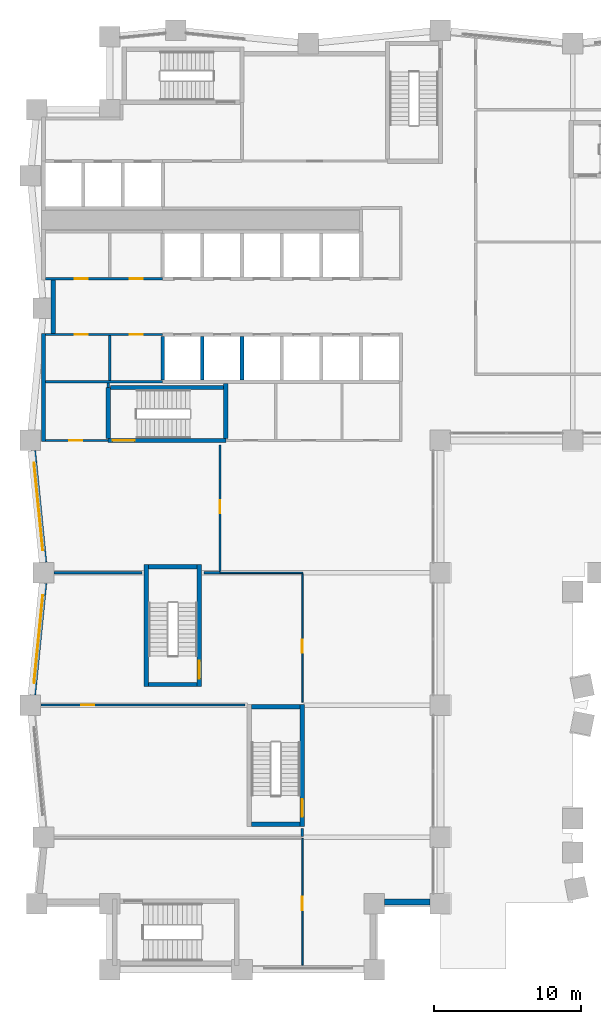
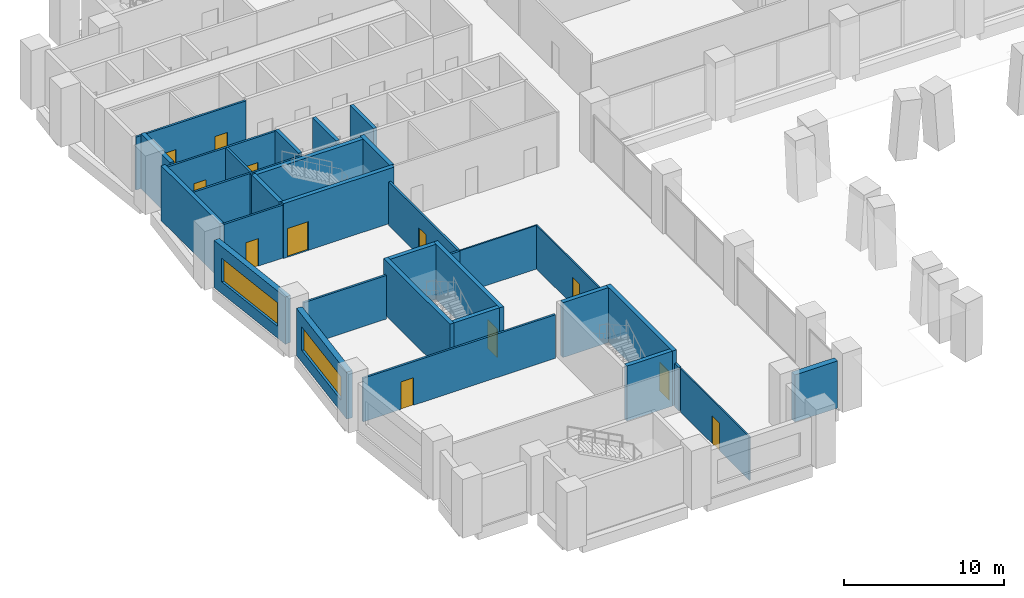
# One storey, part 10 of 18: 33 walls, 12 doors, 2 windows, 14 openings.
"""IFC4 building model written with IfcOpenShell, lengths in metres."""

from ifc_helpers import new_model, si_unit, direction, frame, frame_2d, origin, place, context, subcontext, project, spatial, rectangle, extrude, material, layer, layer_set, type_object, element, fill, save


model = new_model("IFC4")

# Units and contexts
model_context = context("Model", 3, precision=1e-05, world=origin(), true_north=direction((0.0, 1.0)))
body_context = subcontext(model_context, "Body", "Model", "MODEL_VIEW")
ifc_project = project(units=[si_unit("LENGTHUNIT", "METRE"), si_unit("AREAUNIT", "SQUARE_METRE"), si_unit("VOLUMEUNIT", "CUBIC_METRE"), si_unit("PLANEANGLEUNIT", "RADIAN"), si_unit("MASSUNIT", "GRAM", prefix="KILO")], contexts=[model_context])

# Site, building, storey
site_placement = place(None, origin())
site = spatial("IfcSite", under=ifc_project, at=site_placement, CompositionType="ELEMENT")
building_placement = place(site_placement, origin())
building = spatial("IfcBuilding", under=site, at=building_placement, Name="Brondeck Convention Tower", CompositionType="ELEMENT")
storey_placement = place(building_placement, frame((0.0, 0.0, 27.5)))
storey = spatial("IfcBuildingStorey", under=building, at=storey_placement, Name="L04", CompositionType="ELEMENT", Elevation=27.5)

# Walls
ifc_material_1 = material(Name="Concrete C80/95", Category="concrete")
ifc_layer_1 = layer(ifc_material_1, 0.300048828125)
ifc_layer_set_1 = layer_set([ifc_layer_1], Name="Core outer wall 300 Concrete C80/95")
wall_type_1 = type_object("IfcWallType", Name="Core outer wall 300 Concrete C80/95", PredefinedType="SHEAR", material=ifc_layer_set_1)
wall_1_placement = place(storey_placement, frame((0.0, 35.925048828125, 0.0), z_axis=(0.0, 0.0, 1.0), x_axis=(0.0, 1.0, 0.0)))
element("IfcWall", 1, at=wall_1_placement, inside=storey, type_object=wall_type_1, Name="L04 core wall", PredefinedType="SHEAR", context=body_context, shape_type="SweptSolid", body=[
    extrude(rectangle(XDim=7.349853515625, YDim=0.300048828125, at=frame_2d((3.6748046875, 0.0))), origin(), (0.0, 0.0, 1.0), 4.199951171875),
])
wall_2_placement = place(storey_placement, frame((0.64990234375, 43.27490234375, 0.0), z_axis=(0.0, 0.0, 1.0), x_axis=(0.0, 1.0, 0.0)))
element("IfcWall", 2, at=wall_2_placement, inside=storey, type_object=wall_type_1, Name="L04 core wall", PredefinedType="SHEAR", context=body_context, shape_type="SweptSolid", body=[
    extrude(rectangle(XDim=3.650146484375, YDim=0.300048828125, at=frame_2d((1.8251953125, 0.0))), origin(), (0.0, 0.0, 1.0), 4.199951171875),
])

# Wall, opening, door
ifc_material_2 = material(Name="Fire-rated gypsum board partition")
ifc_layer_2 = layer(ifc_material_2, 0.14990234375)
ifc_layer_set_2 = layer_set([ifc_layer_2], Name="Core partition 150 EI 60")
wall_type_2 = type_object("IfcWallType", Name="Core partition 150 EI 60", PredefinedType="PARTITIONING", material=ifc_layer_set_2)
wall_3_placement = place(storey_placement, frame((0.14990234375, 36.0, 0.0), z_axis=(0.0, 0.0, 1.0), x_axis=(1.0, 0.0, 0.0)))
wall_3 = element("IfcWall", 3, at=wall_3_placement, inside=storey, type_object=wall_type_2, Name="L04 core wall", PredefinedType="PARTITIONING", context=body_context, shape_type="SweptSolid", body=[
    extrude(rectangle(XDim=4.25, YDim=0.14990234375, at=frame_2d((2.125, 0.0))), origin(), (0.0, 0.0, 1.0), 4.050048828125),
])
opening_1_placement = place(wall_3_placement, frame((1.60009765625, 0.0, 0.0)))
opening_1 = element("IfcOpeningElement", 4, at=opening_1_placement, cuts=wall_3, Name="Opening C06-06", PredefinedType="OPENING", context=body_context, shape_type="SweptSolid", body=[
    extrude(rectangle(XDim=0.89990234375, YDim=2.10009765625, at=frame_2d((0.449951171875, 1.050048828125))), frame((0.0, 0.0849609375, 0.0), z_axis=(0.0, -1.0, 0.0), x_axis=(1.0, 0.0, 0.0)), (0.0, 0.0, 1.0), 0.169921875),
])
ifc_material_3 = material(Name="Steel fire door", Category="steel")
door_type_1 = type_object("IfcDoorType", Name="Room door 900x2100 EI 60", OperationType="NOTDEFINED", PredefinedType="DOOR", material=ifc_material_3)
door_1_placement = place(opening_1_placement, origin())
door_1 = element("IfcDoor", 5, at=door_1_placement, inside=storey, type_object=door_type_1, Name="L04 Room door FRW-1", OperationType="SINGLE_SWING_LEFT", OverallHeight=2.10009765625, OverallWidth=0.89990234375, PredefinedType="DOOR", context=body_context, shape_type="SweptSolid", body=[
    extrude(rectangle(XDim=0.89990234375, YDim=2.10009765625, at=frame_2d((0.449951171875, 1.050048828125))), frame((0.0, 0.02490234375, 0.0), z_axis=(0.0, -1.0, 0.0), x_axis=(1.0, 0.0, 0.0)), (0.0, 0.0, 1.0), 0.050048828125),
])
fill(opening_1, door_1)

# Wall
wall_4_placement = place(storey_placement, frame((0.14990234375, 40.0, 0.0), z_axis=(0.0, 0.0, 1.0), x_axis=(1.0, 0.0, 0.0)))
element("IfcWall", 6, at=wall_4_placement, inside=storey, type_object=wall_type_2, Name="L04 core wall", PredefinedType="PARTITIONING", context=body_context, shape_type="SweptSolid", body=[
    extrude(rectangle(XDim=7.9501953125, YDim=0.14990234375, at=frame_2d((3.97509765625, 0.0))), origin(), (0.0, 0.0, 1.0), 4.050048828125),
])

# Wall, openings, doors
wall_5_placement = place(storey_placement, frame((0.14990234375, 43.199951171875, 0.0), z_axis=(0.0, 0.0, 1.0), x_axis=(1.0, 0.0, 0.0)))
wall_5 = element("IfcWall", 7, at=wall_5_placement, inside=storey, type_object=wall_type_2, Name="L04 core wall", PredefinedType="PARTITIONING", context=body_context, shape_type="SweptSolid", body=[
    extrude(rectangle(XDim=7.9501953125, YDim=0.14990234375, at=frame_2d((3.97509765625, 0.0))), origin(), (0.0, 0.0, 1.0), 4.050048828125),
])
opening_2_placement = place(wall_5_placement, frame((1.97509765625, 0.0, 0.0)))
opening_2 = element("IfcOpeningElement", 8, at=opening_2_placement, cuts=wall_5, Name="Opening C06-09", PredefinedType="OPENING", context=body_context, shape_type="SweptSolid", body=[
    extrude(rectangle(XDim=0.89990234375, YDim=2.10009765625, at=frame_2d((0.449951171875, 1.050048828125))), frame((0.0, 0.0849609375, 0.0), z_axis=(0.0, -1.0, 0.0), x_axis=(1.0, 0.0, 0.0)), (0.0, 0.0, 1.0), 0.169921875),
])
opening_3_placement = place(wall_5_placement, frame((5.699951171875, 0.0, 0.0)))
opening_3 = element("IfcOpeningElement", 9, at=opening_3_placement, cuts=wall_5, Name="Opening C06-10", PredefinedType="OPENING", context=body_context, shape_type="SweptSolid", body=[
    extrude(rectangle(XDim=0.89990234375, YDim=2.10009765625, at=frame_2d((0.449951171875, 1.050048828125))), frame((0.0, 0.0849609375, 0.0), z_axis=(0.0, -1.0, 0.0), x_axis=(1.0, 0.0, 0.0)), (0.0, 0.0, 1.0), 0.169921875),
])
door_2_placement = place(opening_2_placement, origin())
door_2 = element("IfcDoor", 10, at=door_2_placement, inside=storey, type_object=door_type_1, Name="L04 Room door FZ-S-0-1", OperationType="SINGLE_SWING_LEFT", OverallHeight=2.10009765625, OverallWidth=0.89990234375, PredefinedType="DOOR", context=body_context, shape_type="SweptSolid", body=[
    extrude(rectangle(XDim=0.89990234375, YDim=2.10009765625, at=frame_2d((0.449951171875, 1.050048828125))), frame((0.0, 0.02490234375, 0.0), z_axis=(0.0, -1.0, 0.0), x_axis=(1.0, 0.0, 0.0)), (0.0, 0.0, 1.0), 0.050048828125),
])
fill(opening_2, door_2)
door_3_placement = place(opening_3_placement, origin())
door_3 = element("IfcDoor", 11, at=door_3_placement, inside=storey, type_object=door_type_1, Name="L04 Room door FZ-S-0-2", OperationType="SINGLE_SWING_RIGHT", OverallHeight=2.10009765625, OverallWidth=0.89990234375, PredefinedType="DOOR", context=body_context, shape_type="SweptSolid", body=[
    extrude(rectangle(XDim=0.89990234375, YDim=2.10009765625, at=frame_2d((0.449951171875, 1.050048828125))), frame((0.0, 0.02490234375, 0.0), z_axis=(0.0, -1.0, 0.0), x_axis=(1.0, 0.0, 0.0)), (0.0, 0.0, 1.0), 0.050048828125),
])
fill(opening_3, door_3)

wall_6_placement = place(storey_placement, frame((0.14990234375, 47.0, 0.0), z_axis=(0.0, 0.0, 1.0), x_axis=(1.0, 0.0, 0.0)))
wall_6 = element("IfcWall", 12, at=wall_6_placement, inside=storey, type_object=wall_type_2, Name="L04 core wall", PredefinedType="PARTITIONING", context=body_context, shape_type="SweptSolid", body=[
    extrude(rectangle(XDim=7.9501953125, YDim=0.14990234375, at=frame_2d((3.97509765625, 0.0))), origin(), (0.0, 0.0, 1.0), 4.050048828125),
])
opening_4_placement = place(wall_6_placement, frame((1.97509765625, 0.0, 0.0)))
opening_4 = element("IfcOpeningElement", 13, at=opening_4_placement, cuts=wall_6, Name="Opening C06-07", PredefinedType="OPENING", context=body_context, shape_type="SweptSolid", body=[
    extrude(rectangle(XDim=0.89990234375, YDim=2.10009765625, at=frame_2d((0.449951171875, 1.050048828125))), frame((0.0, 0.0849609375, 0.0), z_axis=(0.0, -1.0, 0.0), x_axis=(1.0, 0.0, 0.0)), (0.0, 0.0, 1.0), 0.169921875),
])
opening_5_placement = place(wall_6_placement, frame((5.699951171875, 0.0, 0.0)))
opening_5 = element("IfcOpeningElement", 14, at=opening_5_placement, cuts=wall_6, Name="Opening C06-08", PredefinedType="OPENING", context=body_context, shape_type="SweptSolid", body=[
    extrude(rectangle(XDim=0.89990234375, YDim=2.10009765625, at=frame_2d((0.449951171875, 1.050048828125))), frame((0.0, 0.0849609375, 0.0), z_axis=(0.0, -1.0, 0.0), x_axis=(1.0, 0.0, 0.0)), (0.0, 0.0, 1.0), 0.169921875),
])
door_4_placement = place(opening_4_placement, origin())
door_4 = element("IfcDoor", 15, at=door_4_placement, inside=storey, type_object=door_type_1, Name="L04 Room door FZ-N-0-1", OperationType="SINGLE_SWING_RIGHT", OverallHeight=2.10009765625, OverallWidth=0.89990234375, PredefinedType="DOOR", context=body_context, shape_type="SweptSolid", body=[
    extrude(rectangle(XDim=0.89990234375, YDim=2.10009765625, at=frame_2d((0.449951171875, 1.050048828125))), frame((0.0, 0.02490234375, 0.0), z_axis=(0.0, -1.0, 0.0), x_axis=(1.0, 0.0, 0.0)), (0.0, 0.0, 1.0), 0.050048828125),
])
fill(opening_4, door_4)
door_5_placement = place(opening_5_placement, origin())
door_5 = element("IfcDoor", 16, at=door_5_placement, inside=storey, type_object=door_type_1, Name="L04 Room door FZ-N-0-2", OperationType="SINGLE_SWING_LEFT", OverallHeight=2.10009765625, OverallWidth=0.89990234375, PredefinedType="DOOR", context=body_context, shape_type="SweptSolid", body=[
    extrude(rectangle(XDim=0.89990234375, YDim=2.10009765625, at=frame_2d((0.449951171875, 1.050048828125))), frame((0.0, 0.02490234375, 0.0), z_axis=(0.0, -1.0, 0.0), x_axis=(1.0, 0.0, 0.0)), (0.0, 0.0, 1.0), 0.050048828125),
])
fill(opening_5, door_5)

# Walls
wall_7_placement = place(storey_placement, frame((4.39990234375, 39.60009765625, 0.0), z_axis=(0.0, 0.0, 1.0), x_axis=(0.0, 1.0, 0.0)))
element("IfcWall", 17, at=wall_7_placement, inside=storey, type_object=wall_type_2, Name="L04 core wall", PredefinedType="PARTITIONING", context=body_context, shape_type="SweptSolid", body=[
    extrude(rectangle(XDim=0.324951171875, YDim=0.14990234375, at=frame_2d((0.16259765625, 0.0))), origin(), (0.0, 0.0, 1.0), 4.050048828125),
])
wall_8_placement = place(storey_placement, frame((4.5, 40.074951171875, 0.0), z_axis=(0.0, 0.0, 1.0), x_axis=(0.0, 1.0, 0.0)))
element("IfcWall", 18, at=wall_8_placement, inside=storey, type_object=wall_type_2, Name="L04 core wall", PredefinedType="PARTITIONING", context=body_context, shape_type="SweptSolid", body=[
    extrude(rectangle(XDim=3.050048828125, YDim=0.14990234375, at=frame_2d((1.52490234375, 0.0))), origin(), (0.0, 0.0, 1.0), 4.050048828125),
])
ifc_material_4 = material(Name="Limestone", Category="masonry")
ifc_layer_3 = layer(ifc_material_4, 0.10009765625, Name="Limestone facing")
ifc_material_5 = material(Name="Mineral wool")
ifc_layer_4 = layer(ifc_material_5, 0.159912109375, Name="Insulation")
ifc_material_6 = material(Name="Concrete C35/45", Category="concrete")
ifc_layer_5 = layer(ifc_material_6, 0.139892578125, Name="Backing")
ifc_layer_set_3 = layer_set([ifc_layer_3, ifc_layer_4, ifc_layer_5], Name="External wall, limestone cladding")
wall_type_3 = type_object("IfcWallType", Name="External wall, limestone cladding", PredefinedType="SOLIDWALL", material=ifc_layer_set_3)
wall_9_placement = place(storey_placement, frame((26.300048828125, 4.60009765625, 0.0), z_axis=(0.0, 0.0, 1.0), x_axis=(-1.0, 0.0, 0.0)))
element("IfcWall", 19, at=wall_9_placement, inside=storey, type_object=wall_type_3, Name="ENV-EW-L04-BASE-NC-SEB-02", PredefinedType="SOLIDWALL", context=body_context, shape_type="SweptSolid", body=[
    extrude(rectangle(XDim=3.10009765625, YDim=0.39990234375, at=frame_2d((1.550048828125, 0.0))), origin(), (0.0, 0.0, 1.0), 3.60009765625),
])

# Wall, opening, window
wall_10_placement = place(storey_placement, frame((0.02978515625, 27.70654296875, 0.0), z_axis=(0.0, 0.0, 1.0), x_axis=(-0.099478423711, 0.995039719416, 0.0)))
wall_10 = element("IfcWall", 20, at=wall_10_placement, inside=storey, type_object=wall_type_3, Name="ENV-EW-L04-BASE-B-W-07", PredefinedType="SOLIDWALL", context=body_context, shape_type="SweptSolid", body=[
    extrude(rectangle(XDim=7.644775390625, YDim=0.39990234375, at=frame_2d((3.822265625, 0.0))), origin(), (0.0, 0.0, 1.0), 3.60009765625),
])
opening_6_placement = place(wall_10_placement, frame((0.822509765625, 0.0, 0.89990234375)))
opening_6 = element("IfcOpeningElement", 21, at=opening_6_placement, cuts=wall_10, Name="Opening W4", PredefinedType="OPENING", context=body_context, shape_type="SweptSolid", body=[
    extrude(rectangle(XDim=6.0, YDim=1.800048828125, at=frame_2d((3.0, 0.89990234375))), frame((0.0, 0.2099609375, 0.0), z_axis=(0.0, -1.0, 0.0), x_axis=(1.0, 0.0, 0.0)), (0.0, 0.0, 1.0), 0.419921875),
])
ifc_material_7 = material(Name="Bronze tinted double glazing", Category="glass")
window_type = type_object("IfcWindowType", Name="Podium ribbon window, bronze tinted", PartitioningType="SINGLE_PANEL", PredefinedType="WINDOW", material=ifc_material_7)
window_1_placement = place(opening_6_placement, origin())
window_1 = element("IfcWindow", 22, at=window_1_placement, inside=storey, type_object=window_type, Name="ENV-WN-L04-BASE-B-W-07", OverallHeight=1.800048828125, OverallWidth=6.0, PartitioningType="SINGLE_PANEL", PredefinedType="WINDOW", context=body_context, shape_type="SweptSolid", body=[
    extrude(rectangle(XDim=6.0, YDim=1.800048828125, at=frame_2d((3.0, 0.89990234375))), frame((0.0, 0.030029296875, 0.0), z_axis=(0.0, -1.0, 0.0), x_axis=(1.0, 0.0, 0.0)), (0.0, 0.0, 1.0), 0.06005859375),
])
fill(opening_6, window_1)

wall_11_placement = place(storey_placement, frame((-0.730712890625, 18.6865234375, 0.0), z_axis=(0.0, 0.0, 1.0), x_axis=(0.099478423711, 0.995039719416, 0.0)))
wall_11 = element("IfcWall", 23, at=wall_11_placement, inside=storey, type_object=wall_type_3, Name="ENV-EW-L04-BASE-B-W-09", PredefinedType="SOLIDWALL", context=body_context, shape_type="SweptSolid", body=[
    extrude(rectangle(XDim=7.644775390625, YDim=0.39990234375, at=frame_2d((3.822265625, 0.0))), origin(), (0.0, 0.0, 1.0), 3.60009765625),
])
opening_7_placement = place(wall_11_placement, frame((0.822509765625, 0.0, 0.89990234375)))
opening_7 = element("IfcOpeningElement", 24, at=opening_7_placement, cuts=wall_11, Name="Opening W4", PredefinedType="OPENING", context=body_context, shape_type="SweptSolid", body=[
    extrude(rectangle(XDim=6.0, YDim=1.800048828125, at=frame_2d((3.0, 0.89990234375))), frame((0.0, 0.2099609375, 0.0), z_axis=(0.0, -1.0, 0.0), x_axis=(1.0, 0.0, 0.0)), (0.0, 0.0, 1.0), 0.419921875),
])
window_2_placement = place(opening_7_placement, origin())
window_2 = element("IfcWindow", 25, at=window_2_placement, inside=storey, type_object=window_type, Name="ENV-WN-L04-BASE-B-W-09", OverallHeight=1.800048828125, OverallWidth=6.0, PartitioningType="SINGLE_PANEL", PredefinedType="WINDOW", context=body_context, shape_type="SweptSolid", body=[
    extrude(rectangle(XDim=6.0, YDim=1.800048828125, at=frame_2d((3.0, 0.89990234375))), frame((0.0, 0.030029296875, 0.0), z_axis=(0.0, -1.0, 0.0), x_axis=(1.0, 0.0, 0.0)), (0.0, 0.0, 1.0), 0.06005859375),
])
fill(opening_7, window_2)

# Wall
ifc_material_8 = material(Name="Double gypsum board acoustic wall")
ifc_layer_6 = layer(ifc_material_8, 0.14990234375)
ifc_layer_set_4 = layer_set([ifc_layer_6], Name="Guest room party wall 150")
wall_type_4 = type_object("IfcWallType", Name="Guest room party wall 150", PredefinedType="PARTITIONING", material=ifc_layer_set_4)
wall_12_placement = place(storey_placement, frame((17.60009765625, 9.074951171875, 0.0), z_axis=(0.0, 0.0, 1.0), x_axis=(0.0, 1.0, 0.0)))
element("IfcWall", 26, at=wall_12_placement, inside=storey, type_object=wall_type_4, Name="FLR-L04-W003", PredefinedType="PARTITIONING", context=body_context, shape_type="SweptSolid", body=[
    extrude(rectangle(XDim=0.525146484375, YDim=0.14990234375, at=frame_2d((0.2626953125, 0.0))), origin(), (0.0, 0.0, 1.0), 3.330078125),
])

# Wall, opening, door
wall_13_placement = place(storey_placement, frame((13.699951171875, 18.0, 0.0), z_axis=(0.0, 0.0, 1.0), x_axis=(-1.0, 0.0, 0.0)))
wall_13 = element("IfcWall", 27, at=wall_13_placement, inside=storey, type_object=wall_type_4, Name="FLR-L04-W004", PredefinedType="PARTITIONING", context=body_context, shape_type="SweptSolid", body=[
    extrude(rectangle(XDim=13.8798828125, YDim=0.14990234375, at=frame_2d((6.93994140625, 0.0))), origin(), (0.0, 0.0, 1.0), 3.330078125),
])
opening_8_placement = place(wall_13_placement, frame((10.25, 0.0, 0.0)))
opening_8 = element("IfcOpeningElement", 28, at=opening_8_placement, cuts=wall_13, Name="Opening P-L04-015", PredefinedType="OPENING", context=body_context, shape_type="SweptSolid", body=[
    extrude(rectangle(XDim=0.89990234375, YDim=2.10009765625, at=frame_2d((0.449951171875, 1.050048828125))), frame((0.0, 0.0849609375, 0.0), z_axis=(0.0, -1.0, 0.0), x_axis=(1.0, 0.0, 0.0)), (0.0, 0.0, 1.0), 0.169921875),
])
ifc_material_9 = material(Name="Solid timber door leaf", Category="wood")
door_type_2 = type_object("IfcDoorType", Name="Single door 900", OperationType="NOTDEFINED", PredefinedType="DOOR", material=ifc_material_9)
door_6_placement = place(opening_8_placement, origin())
door_6 = element("IfcDoor", 29, at=door_6_placement, inside=storey, type_object=door_type_2, Name="Door P-L04-015", OperationType="SINGLE_SWING_RIGHT", OverallHeight=2.10009765625, OverallWidth=0.89990234375, PredefinedType="DOOR", context=body_context, shape_type="SweptSolid", body=[
    extrude(rectangle(XDim=0.89990234375, YDim=2.10009765625, at=frame_2d((0.449951171875, 1.050048828125))), frame((0.0, 0.02490234375, 0.0), z_axis=(0.0, -1.0, 0.0), x_axis=(1.0, 0.0, 0.0)), (0.0, 0.0, 1.0), 0.050048828125),
])
fill(opening_8, door_6)

# Walls
wall_14_placement = place(storey_placement, frame((0.719970703125, 27.0, 0.0), z_axis=(0.0, 0.0, 1.0), x_axis=(1.0, 0.0, 0.0)))
element("IfcWall", 30, at=wall_14_placement, inside=storey, type_object=wall_type_4, Name="FLR-L04-W006", PredefinedType="PARTITIONING", context=body_context, shape_type="SweptSolid", body=[
    extrude(rectangle(XDim=5.97998046875, YDim=0.14990234375, at=frame_2d((2.989990234375, 0.0))), origin(), (0.0, 0.0, 1.0), 3.330078125),
])
wall_15_placement = place(storey_placement, frame((10.89990234375, 27.0, 0.0), z_axis=(0.0, 0.0, 1.0), x_axis=(1.0, 0.0, 0.0)))
element("IfcWall", 31, at=wall_15_placement, inside=storey, type_object=wall_type_4, Name="FLR-L04-W007", PredefinedType="PARTITIONING", context=body_context, shape_type="SweptSolid", body=[
    extrude(rectangle(XDim=1.10009765625, YDim=0.14990234375, at=frame_2d((0.550048828125, 0.0))), origin(), (0.0, 0.0, 1.0), 3.330078125),
])

# Wall, opening, door
wall_16_placement = place(storey_placement, frame((12.0, 27.074951171875, 0.0), z_axis=(0.0, 0.0, 1.0), x_axis=(0.0, 1.0, 0.0)))
wall_16 = element("IfcWall", 32, at=wall_16_placement, inside=storey, type_object=wall_type_4, Name="FLR-L04-W009", PredefinedType="PARTITIONING", context=body_context, shape_type="SweptSolid", body=[
    extrude(rectangle(XDim=8.625, YDim=0.14990234375, at=frame_2d((4.3125, 0.0))), origin(), (0.0, 0.0, 1.0), 3.330078125),
])
opening_9_placement = place(wall_16_placement, frame((3.97509765625, 0.0, 0.0)))
opening_9 = element("IfcOpeningElement", 33, at=opening_9_placement, cuts=wall_16, Name="Opening P-L04-012", PredefinedType="OPENING", context=body_context, shape_type="SweptSolid", body=[
    extrude(rectangle(XDim=0.89990234375, YDim=2.10009765625, at=frame_2d((0.449951171875, 1.050048828125))), frame((0.0, 0.0849609375, 0.0), z_axis=(0.0, -1.0, 0.0), x_axis=(1.0, 0.0, 0.0)), (0.0, 0.0, 1.0), 0.169921875),
])
door_7_placement = place(opening_9_placement, origin())
door_7 = element("IfcDoor", 34, at=door_7_placement, inside=storey, type_object=door_type_2, Name="Door P-L04-012", OperationType="SINGLE_SWING_RIGHT", OverallHeight=2.10009765625, OverallWidth=0.89990234375, PredefinedType="DOOR", context=body_context, shape_type="SweptSolid", body=[
    extrude(rectangle(XDim=0.89990234375, YDim=2.10009765625, at=frame_2d((0.449951171875, 1.050048828125))), frame((0.0, 0.02490234375, 0.0), z_axis=(0.0, -1.0, 0.0), x_axis=(1.0, 0.0, 0.0)), (0.0, 0.0, 1.0), 0.050048828125),
])
fill(opening_9, door_7)

# Walls
ifc_layer_7 = layer(ifc_material_1, 0.25)
ifc_layer_set_5 = layer_set([ifc_layer_7], Name="Lift shaft wall 250 Concrete C80/95")
wall_type_5 = type_object("IfcWallType", Name="Lift shaft wall 250 Concrete C80/95", PredefinedType="SHEAR", material=ifc_layer_set_5)
for number, where, z_axis, x_axis, name in (
    (35, (8.10009765625, 40.125, 0.0), (0.0, 0.0, 1.0), (0.0, 1.0, 0.0), "L04 core wall"),
    (36, (10.800048828125, 40.125, 0.0), (0.0, 0.0, 1.0), (0.0, 1.0, 0.0), "L04 core wall"),
    (37, (13.5, 40.125, 0.0), (0.0, 0.0, 1.0), (0.0, 1.0, 0.0), "L04 core wall"),
):
    element("IfcWall", number, at=place(storey_placement, frame(where, z_axis=z_axis, x_axis=x_axis)), inside=storey, type_object=wall_type_5, Name=name, PredefinedType="SHEAR", context=body_context, shape_type="SweptSolid", body=[
        extrude(rectangle(XDim=2.949951171875, YDim=0.25, at=frame_2d((1.47509765625, 0.0))), origin(), (0.0, 0.0, 1.0), 4.199951171875),
    ])

# Wall, opening, door
ifc_material_10 = material(Name="Gypsum board partition on steel studs", Category="steel")
ifc_layer_8 = layer(ifc_material_10, 0.10009765625)
ifc_layer_set_6 = layer_set([ifc_layer_8], Name="Room partition 100")
wall_type_6 = type_object("IfcWallType", Name="Room partition 100", PredefinedType="PARTITIONING", material=ifc_layer_set_6)
wall_17_placement = place(storey_placement, frame((17.60009765625, 0.320068359375, 0.0), z_axis=(0.0, 0.0, 1.0), x_axis=(0.0, 1.0, 0.0)))
wall_17 = element("IfcWall", 38, at=wall_17_placement, inside=storey, type_object=wall_type_6, Name="FLR-L04-W001", PredefinedType="PARTITIONING", context=body_context, shape_type="SweptSolid", body=[
    extrude(rectangle(XDim=8.60498046875, YDim=0.10009765625, at=frame_2d((4.302490234375, 0.0))), origin(), (0.0, 0.0, 1.0), 3.330078125),
])
opening_10_placement = place(wall_17_placement, frame((3.72998046875, 0.0, 0.0)))
opening_10 = element("IfcOpeningElement", 39, at=opening_10_placement, cuts=wall_17, Name="Opening P-L04-013", PredefinedType="OPENING", context=body_context, shape_type="SweptSolid", body=[
    extrude(rectangle(XDim=0.89990234375, YDim=2.10009765625, at=frame_2d((0.449951171875, 1.050048828125))), frame((0.0, 0.06005859375, 0.0), z_axis=(0.0, -1.0, 0.0), x_axis=(1.0, 0.0, 0.0)), (0.0, 0.0, 1.0), 0.1201171875),
])
door_8_placement = place(opening_10_placement, origin())
door_8 = element("IfcDoor", 40, at=door_8_placement, inside=storey, type_object=door_type_2, Name="Door P-L04-013", OperationType="SINGLE_SWING_LEFT", OverallHeight=2.10009765625, OverallWidth=0.89990234375, PredefinedType="DOOR", context=body_context, shape_type="SweptSolid", body=[
    extrude(rectangle(XDim=0.89990234375, YDim=2.10009765625, at=frame_2d((0.449951171875, 1.050048828125))), frame((0.0, 0.02490234375, 0.0), z_axis=(0.0, -1.0, 0.0), x_axis=(1.0, 0.0, 0.0)), (0.0, 0.0, 1.0), 0.050048828125),
])
fill(opening_10, door_8)

wall_18_placement = place(storey_placement, frame((17.60009765625, 18.199951171875, 0.0), z_axis=(0.0, 0.0, 1.0), x_axis=(0.0, 1.0, 0.0)))
wall_18 = element("IfcWall", 41, at=wall_18_placement, inside=storey, type_object=wall_type_6, Name="FLR-L04-W005", PredefinedType="PARTITIONING", context=body_context, shape_type="SweptSolid", body=[
    extrude(rectangle(XDim=8.75, YDim=0.10009765625, at=frame_2d((4.375, 0.0))), origin(), (0.0, 0.0, 1.0), 3.330078125),
])
opening_11_placement = place(wall_18_placement, frame((3.35009765625, 0.0, 0.0)))
opening_11 = element("IfcOpeningElement", 42, at=opening_11_placement, cuts=wall_18, Name="Opening P-L04-014", PredefinedType="OPENING", context=body_context, shape_type="SweptSolid", body=[
    extrude(rectangle(XDim=0.89990234375, YDim=2.10009765625, at=frame_2d((0.449951171875, 1.050048828125))), frame((0.0, 0.06005859375, 0.0), z_axis=(0.0, -1.0, 0.0), x_axis=(1.0, 0.0, 0.0)), (0.0, 0.0, 1.0), 0.1201171875),
])
door_9_placement = place(opening_11_placement, origin())
door_9 = element("IfcDoor", 43, at=door_9_placement, inside=storey, type_object=door_type_2, Name="Door P-L04-014", OperationType="SINGLE_SWING_LEFT", OverallHeight=2.10009765625, OverallWidth=0.89990234375, PredefinedType="DOOR", context=body_context, shape_type="SweptSolid", body=[
    extrude(rectangle(XDim=0.89990234375, YDim=2.10009765625, at=frame_2d((0.449951171875, 1.050048828125))), frame((0.0, 0.02490234375, 0.0), z_axis=(0.0, -1.0, 0.0), x_axis=(1.0, 0.0, 0.0)), (0.0, 0.0, 1.0), 0.050048828125),
])
fill(opening_11, door_9)

# Walls
wall_19_placement = place(storey_placement, frame((17.64990234375, 27.0, 0.0), z_axis=(0.0, 0.0, 1.0), x_axis=(-1.0, 0.0, 0.0)))
element("IfcWall", 44, at=wall_19_placement, inside=storey, type_object=wall_type_6, Name="FLR-L04-W008", PredefinedType="PARTITIONING", context=body_context, shape_type="SweptSolid", body=[
    extrude(rectangle(XDim=5.64990234375, YDim=0.10009765625, at=frame_2d((2.824951171875, 0.0))), origin(), (0.0, 0.0, 1.0), 3.330078125),
])
ifc_layer_9 = layer(ifc_material_1, 0.300048828125)
ifc_layer_set_7 = layer_set([ifc_layer_9], Name="Stair enclosure wall 300 Concrete C80/95")
wall_type_7 = type_object("IfcWallType", Name="Stair enclosure wall 300 Concrete C80/95", PredefinedType="SHEAR", material=ifc_layer_set_7)
for number, where, z_axis, x_axis, name in (
    (45, (14.14990234375, 9.89990234375, 0.0), (0.0, 0.0, 1.0), (1.0, 0.0, 0.0), "L04 core wall"),
    (46, (14.14990234375, 17.89990234375, 0.0), (0.0, 0.0, 1.0), (1.0, 0.0, 0.0), "L04 core wall"),
    (47, (7.14990234375, 19.39990234375, 0.0), (0.0, 0.0, 1.0), (1.0, 0.0, 0.0), "L04 core wall"),
    (48, (7.14990234375, 27.39990234375, 0.0), (0.0, 0.0, 1.0), (1.0, 0.0, 0.0), "L04 core wall"),
):
    element("IfcWall", number, at=place(storey_placement, frame(where, z_axis=z_axis, x_axis=x_axis)), inside=storey, type_object=wall_type_7, Name=name, PredefinedType="SHEAR", context=body_context, shape_type="SweptSolid", body=[
        extrude(rectangle(XDim=3.300048828125, YDim=0.300048828125, at=frame_2d((1.64990234375, 0.0))), origin(), (0.0, 0.0, 1.0), 4.199951171875),
    ])

# Wall, opening, door
wall_20_placement = place(storey_placement, frame((4.39990234375, 36.0, 0.0), z_axis=(0.0, 0.0, 1.0), x_axis=(1.0, 0.0, 0.0)))
wall_20 = element("IfcWall", 49, at=wall_20_placement, inside=storey, type_object=wall_type_7, Name="L04 core wall", PredefinedType="SHEAR", context=body_context, shape_type="SweptSolid", body=[
    extrude(rectangle(XDim=8.0, YDim=0.300048828125, at=frame_2d((4.0, 0.0))), origin(), (0.0, 0.0, 1.0), 4.199951171875),
])
opening_12_placement = place(wall_20_placement, frame((0.300048828125, 0.0, 0.0)))
opening_12 = element("IfcOpeningElement", 50, at=opening_12_placement, cuts=wall_20, Name="Opening C06-14", PredefinedType="OPENING", context=body_context, shape_type="SweptSolid", body=[
    extrude(rectangle(XDim=1.5, YDim=2.199951171875, at=frame_2d((0.75, 1.10009765625))), frame((0.0, 0.159912109375, 0.0), z_axis=(0.0, -1.0, 0.0), x_axis=(1.0, 0.0, 0.0)), (0.0, 0.0, 1.0), 0.320068359375),
])
door_type_3 = type_object("IfcDoorType", Name="Stair door 1500x2200 EI 90", OperationType="NOTDEFINED", PredefinedType="DOOR", material=ifc_material_3)
door_10_placement = place(opening_12_placement, origin())
door_10 = element("IfcDoor", 51, at=door_10_placement, inside=storey, type_object=door_type_3, Name="L04 Stair door ST-1", OperationType="SINGLE_SWING_RIGHT", OverallHeight=2.199951171875, OverallWidth=1.5, PredefinedType="DOOR", context=body_context, shape_type="SweptSolid", body=[
    extrude(rectangle(XDim=1.5, YDim=2.199951171875, at=frame_2d((0.75, 1.10009765625))), frame((0.0, 0.02490234375, 0.0), z_axis=(0.0, -1.0, 0.0), x_axis=(1.0, 0.0, 0.0)), (0.0, 0.0, 1.0), 0.050048828125),
])
fill(opening_12, door_10)

# Walls
wall_21_placement = place(storey_placement, frame((4.550048828125, 39.60009765625, 0.0), z_axis=(0.0, 0.0, 1.0), x_axis=(1.0, 0.0, 0.0)))
element("IfcWall", 52, at=wall_21_placement, inside=storey, type_object=wall_type_7, Name="L04 core wall", PredefinedType="SHEAR", context=body_context, shape_type="SweptSolid", body=[
    extrude(rectangle(XDim=7.699951171875, YDim=0.300048828125, at=frame_2d((3.85009765625, 0.0))), origin(), (0.0, 0.0, 1.0), 4.199951171875),
])
wall_22_placement = place(storey_placement, frame((4.39990234375, 36.14990234375, 0.0), z_axis=(0.0, 0.0, 1.0), x_axis=(0.0, 1.0, 0.0)))
element("IfcWall", 53, at=wall_22_placement, inside=storey, type_object=wall_type_7, Name="L04 core wall", PredefinedType="SHEAR", context=body_context, shape_type="SweptSolid", body=[
    extrude(rectangle(XDim=3.4501953125, YDim=0.300048828125, at=frame_2d((1.72509765625, 0.0))), origin(), (0.0, 0.0, 1.0), 4.199951171875),
])
wall_23_placement = place(storey_placement, frame((7.0, 19.25, 0.0), z_axis=(0.0, 0.0, 1.0), x_axis=(0.0, 1.0, 0.0)))
element("IfcWall", 54, at=wall_23_placement, inside=storey, type_object=wall_type_7, Name="L04 core wall", PredefinedType="SHEAR", context=body_context, shape_type="SweptSolid", body=[
    extrude(rectangle(XDim=8.300048828125, YDim=0.300048828125, at=frame_2d((4.14990234375, 0.0))), origin(), (0.0, 0.0, 1.0), 4.199951171875),
])

# Wall, opening, door
wall_24_placement = place(storey_placement, frame((10.60009765625, 19.25, 0.0), z_axis=(0.0, 0.0, 1.0), x_axis=(0.0, 1.0, 0.0)))
wall_24 = element("IfcWall", 55, at=wall_24_placement, inside=storey, type_object=wall_type_7, Name="L04 core wall", PredefinedType="SHEAR", context=body_context, shape_type="SweptSolid", body=[
    extrude(rectangle(XDim=8.300048828125, YDim=0.300048828125, at=frame_2d((4.14990234375, 0.0))), origin(), (0.0, 0.0, 1.0), 4.199951171875),
])
opening_13_placement = place(wall_24_placement, frame((0.550048828125, 0.0, 0.0)))
opening_13 = element("IfcOpeningElement", 56, at=opening_13_placement, cuts=wall_24, Name="Opening C06-19", PredefinedType="OPENING", context=body_context, shape_type="SweptSolid", body=[
    extrude(rectangle(XDim=1.199951171875, YDim=2.199951171875, at=frame_2d((0.60009765625, 1.10009765625))), frame((0.0, 0.159912109375, 0.0), z_axis=(0.0, -1.0, 0.0), x_axis=(1.0, 0.0, 0.0)), (0.0, 0.0, 1.0), 0.320068359375),
])
door_type_4 = type_object("IfcDoorType", Name="Stair door 1200x2200 EI 90", OperationType="NOTDEFINED", PredefinedType="DOOR", material=ifc_material_3)
door_11_placement = place(opening_13_placement, origin())
door_11 = element("IfcDoor", 57, at=door_11_placement, inside=storey, type_object=door_type_4, Name="L04 Stair door ST-BE", OperationType="SINGLE_SWING_RIGHT", OverallHeight=2.199951171875, OverallWidth=1.199951171875, PredefinedType="DOOR", context=body_context, shape_type="SweptSolid", body=[
    extrude(rectangle(XDim=1.199951171875, YDim=2.199951171875, at=frame_2d((0.60009765625, 1.10009765625))), frame((0.0, 0.02490234375, 0.0), z_axis=(0.0, -1.0, 0.0), x_axis=(1.0, 0.0, 0.0)), (0.0, 0.0, 1.0), 0.050048828125),
])
fill(opening_13, door_11)

# Wall
wall_25_placement = place(storey_placement, frame((12.39990234375, 36.14990234375, 0.0), z_axis=(0.0, 0.0, 1.0), x_axis=(0.0, 1.0, 0.0)))
element("IfcWall", 58, at=wall_25_placement, inside=storey, type_object=wall_type_7, Name="L04 core wall", PredefinedType="SHEAR", context=body_context, shape_type="SweptSolid", body=[
    extrude(rectangle(XDim=3.72509765625, YDim=0.300048828125, at=frame_2d((1.862548828125, 0.0))), origin(), (0.0, 0.0, 1.0), 4.199951171875),
])

# Wall, opening, door
wall_26_placement = place(storey_placement, frame((17.60009765625, 9.75, 0.0), z_axis=(0.0, 0.0, 1.0), x_axis=(0.0, 1.0, 0.0)))
wall_26 = element("IfcWall", 59, at=wall_26_placement, inside=storey, type_object=wall_type_7, Name="L04 core wall", PredefinedType="SHEAR", context=body_context, shape_type="SweptSolid", body=[
    extrude(rectangle(XDim=8.300048828125, YDim=0.300048828125, at=frame_2d((4.14990234375, 0.0))), origin(), (0.0, 0.0, 1.0), 4.199951171875),
])
opening_14_placement = place(wall_26_placement, frame((0.64990234375, 0.0, 0.0)))
opening_14 = element("IfcOpeningElement", 60, at=opening_14_placement, cuts=wall_26, Name="Opening C06-20", PredefinedType="OPENING", context=body_context, shape_type="SweptSolid", body=[
    extrude(rectangle(XDim=1.199951171875, YDim=2.199951171875, at=frame_2d((0.60009765625, 1.10009765625))), frame((0.0, 0.159912109375, 0.0), z_axis=(0.0, -1.0, 0.0), x_axis=(1.0, 0.0, 0.0)), (0.0, 0.0, 1.0), 0.320068359375),
])
door_12_placement = place(opening_14_placement, origin())
door_12 = element("IfcDoor", 61, at=door_12_placement, inside=storey, type_object=door_type_4, Name="L04 Stair door ST-BF", OperationType="SINGLE_SWING_LEFT", OverallHeight=2.199951171875, OverallWidth=1.199951171875, PredefinedType="DOOR", context=body_context, shape_type="SweptSolid", body=[
    extrude(rectangle(XDim=1.199951171875, YDim=2.199951171875, at=frame_2d((0.60009765625, 1.10009765625))), frame((0.0, 0.02490234375, 0.0), z_axis=(0.0, -1.0, 0.0), x_axis=(1.0, 0.0, 0.0)), (0.0, 0.0, 1.0), 0.050048828125),
])
fill(opening_14, door_12)

save(model, "model.ifc")
